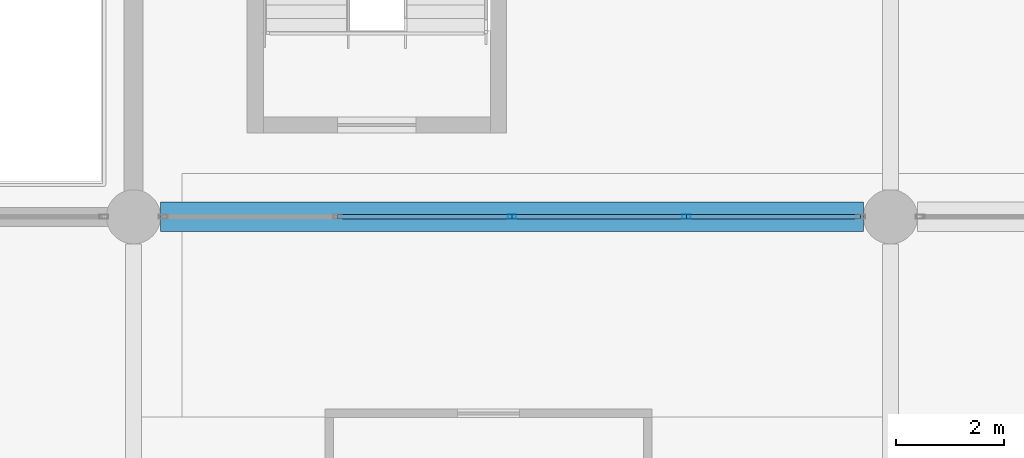
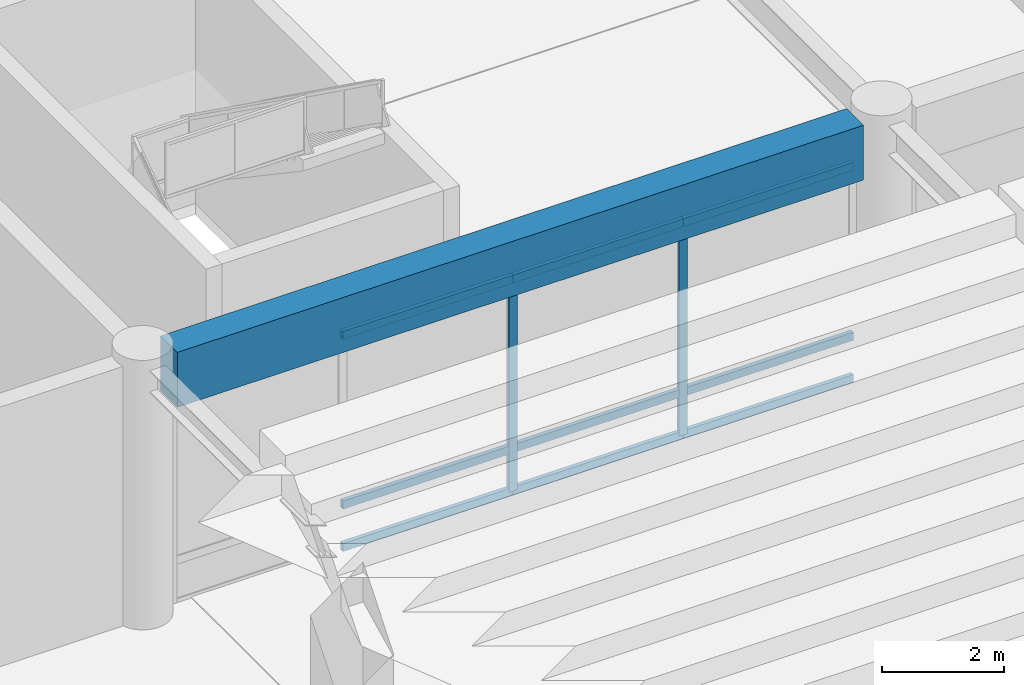
# One storey, part 65 of 117: 11 members, 1 beam, 1 element without a shape of its own.
"""IFC4 building model written with IfcOpenShell, lengths in metres."""

from ifc_helpers import new_model, si_unit, direction, frame, origin, origin_2d, place, context, subcontext, project, spatial, rectangle, hollow_rectangle, extrude, material, material_profile, profile_set, type_object, element, aggregate, save


model = new_model("IFC4")

# Units and contexts
model_context = context("Model", 3, precision=1e-05, world=origin(), true_north=direction((0.0, 1.0)))
body_context = subcontext(model_context, "Body", "Model", "MODEL_VIEW")
ifc_project = project(units=[si_unit("LENGTHUNIT", "METRE"), si_unit("AREAUNIT", "SQUARE_METRE"), si_unit("VOLUMEUNIT", "CUBIC_METRE"), si_unit("PLANEANGLEUNIT", "RADIAN"), si_unit("MASSUNIT", "GRAM", prefix="KILO")], contexts=[model_context])

# Site, building, storey
site_placement = place(None, origin())
site = spatial("IfcSite", under=ifc_project, at=site_placement, CompositionType="ELEMENT")
building_placement = place(site_placement, origin())
building = spatial("IfcBuilding", under=site, at=building_placement, Name="Linyun Crest Stadium", CompositionType="ELEMENT")
storey_placement = place(building_placement, frame((0.0, 0.0, 6.0)))
storey = spatial("IfcBuildingStorey", under=building, at=storey_placement, Name="L02", CompositionType="ELEMENT", Elevation=6.0)

# Curtain wall, members
ifc_material_1 = material(Name="Verdigris steel and low-E curtain wall assembly", Category="steel")
curtain_wall_type = type_object("IfcCurtainWallType", Name="MCW03", PredefinedType="NOTDEFINED", material=ifc_material_1)
curtain_wall_placement = place(storey_placement, origin())
curtain_wall = element("IfcCurtainWall", 1, at=curtain_wall_placement, inside=storey, type_object=curtain_wall_type, Name="CWR-134", PredefinedType="NOTDEFINED")
ifc_material_2 = material(Name="Aluminium thermally broken mullion", Category="aluminium")
ifc_material_profile_1 = material_profile(ifc_material_2, hollow_rectangle(XDim=0.080078125, YDim=0.159912109375, WallThickness=0.006103515625, at=origin_2d()), Name="RHS 160x80x6")
ifc_profile_set_1 = profile_set([ifc_material_profile_1], Name="Aluminium thermally broken mullion")
member_type_1 = type_object("IfcMemberType", Name="ML01", PredefinedType="MULLION", material=ifc_profile_set_1)
member_1_placement = place(storey_placement, frame((-7.0, 91.5, 0.0), z_axis=(0.0, 0.0, 1.0), x_axis=(0.0, 1.0, 0.0)))
member_1 = element("IfcMember", 2, at=member_1_placement, type_object=member_type_1, Name="CWR-134 mullion 3", PredefinedType="MULLION", context=body_context, shape_type="SweptSolid", body=[
    extrude(hollow_rectangle(XDim=0.080078125, YDim=0.159912109375, WallThickness=0.006103515625, at=origin_2d()), origin(), (0.0, 0.0, 1.0), 4.25),
])
member_2_placement = place(storey_placement, frame((-3.77490234375, 91.5, 0.0), z_axis=(0.0, 0.0, 1.0), x_axis=(0.0, 1.0, 0.0)))
member_2 = element("IfcMember", 3, at=member_2_placement, type_object=member_type_1, Name="CWR-134 mullion 4", PredefinedType="MULLION", context=body_context, shape_type="SweptSolid", body=[
    extrude(hollow_rectangle(XDim=0.080078125, YDim=0.159912109375, WallThickness=0.006103515625, at=origin_2d()), origin(), (0.0, 0.0, 1.0), 4.25),
])

# Beam
ifc_material_3 = material(Name="Concrete C50", Category="concrete")
ifc_material_profile_2 = material_profile(ifc_material_3, rectangle(XDim=0.550048828125, YDim=1.10009765625, at=origin_2d()), Name="RCB 1100x550")
ifc_profile_set_2 = profile_set([ifc_material_profile_2], Name="Concrete C50")
beam_type = type_object("IfcBeamType", Name="TB01", PredefinedType="USERDEFINED", material=ifc_profile_set_2)
beam_placement = place(storey_placement, frame((-13.5, 91.5, 4.64990234375), z_axis=(1.0, 0.0, 0.0), x_axis=(0.0, 1.0, 0.0)))
element("IfcBeam", 4, at=beam_placement, inside=storey, type_object=beam_type, Name="Frame beam TB01 L02 790", ObjectType="GIRDER", PredefinedType="USERDEFINED", context=body_context, shape_type="SweptSolid", body=[
    extrude(rectangle(XDim=0.550048828125, YDim=1.10009765625, at=origin_2d()), origin(), (0.0, 0.0, 1.0), 13.0),
])

# Member
ifc_material_4 = material(Name="Aluminium thermally broken transom", Category="aluminium")
ifc_material_profile_3 = material_profile(ifc_material_4, hollow_rectangle(XDim=0.080078125, YDim=0.159912109375, WallThickness=0.006103515625, at=origin_2d()), Name="RHS 160x80x6")
ifc_profile_set_3 = profile_set([ifc_material_profile_3], Name="Aluminium thermally broken transom")
member_type_2 = type_object("IfcMemberType", Name="TR01", PredefinedType="USERDEFINED", material=ifc_profile_set_3)
member_3_placement = place(storey_placement, frame((-10.22509765625, 91.5, 0.0), z_axis=(1.0, 0.0, 0.0), x_axis=(0.0, 1.0, 0.0)))
member_3 = element("IfcMember", 5, at=member_3_placement, type_object=member_type_2, Name="CWR-134 transom 2.1", ObjectType="TRANSOM", PredefinedType="USERDEFINED", context=body_context, shape_type="SweptSolid", body=[
    extrude(hollow_rectangle(XDim=0.080078125, YDim=0.159912109375, WallThickness=0.006103515625, at=origin_2d()), origin(), (0.0, 0.0, 1.0), 3.22509765625),
])

member_4_placement = place(storey_placement, frame((-10.22509765625, 91.5, 0.85009765625), z_axis=(1.0, 0.0, 0.0), x_axis=(0.0, 1.0, 0.0)))
member_4 = element("IfcMember", 6, at=member_4_placement, type_object=member_type_2, Name="CWR-134 transom 2.2", ObjectType="TRANSOM", PredefinedType="USERDEFINED", context=body_context, shape_type="SweptSolid", body=[
    extrude(hollow_rectangle(XDim=0.080078125, YDim=0.159912109375, WallThickness=0.006103515625, at=origin_2d()), origin(), (0.0, 0.0, 1.0), 3.22509765625),
])

member_5_placement = place(storey_placement, frame((-10.22509765625, 91.5, 4.25), z_axis=(1.0, 0.0, 0.0), x_axis=(0.0, 1.0, 0.0)))
member_5 = element("IfcMember", 7, at=member_5_placement, type_object=member_type_2, Name="CWR-134 transom 2.3", ObjectType="TRANSOM", PredefinedType="USERDEFINED", context=body_context, shape_type="SweptSolid", body=[
    extrude(hollow_rectangle(XDim=0.080078125, YDim=0.159912109375, WallThickness=0.006103515625, at=origin_2d()), origin(), (0.0, 0.0, 1.0), 3.22509765625),
])

member_6_placement = place(storey_placement, frame((-7.0, 91.5, 0.0), z_axis=(1.0, 0.0, 0.0), x_axis=(0.0, 1.0, 0.0)))
member_6 = element("IfcMember", 8, at=member_6_placement, type_object=member_type_2, Name="CWR-134 transom 3.1", ObjectType="TRANSOM", PredefinedType="USERDEFINED", context=body_context, shape_type="SweptSolid", body=[
    extrude(hollow_rectangle(XDim=0.080078125, YDim=0.159912109375, WallThickness=0.006103515625, at=origin_2d()), origin(), (0.0, 0.0, 1.0), 3.22509765625),
])

member_7_placement = place(storey_placement, frame((-7.0, 91.5, 0.85009765625), z_axis=(1.0, 0.0, 0.0), x_axis=(0.0, 1.0, 0.0)))
member_7 = element("IfcMember", 9, at=member_7_placement, type_object=member_type_2, Name="CWR-134 transom 3.2", ObjectType="TRANSOM", PredefinedType="USERDEFINED", context=body_context, shape_type="SweptSolid", body=[
    extrude(hollow_rectangle(XDim=0.080078125, YDim=0.159912109375, WallThickness=0.006103515625, at=origin_2d()), origin(), (0.0, 0.0, 1.0), 3.22509765625),
])

member_8_placement = place(storey_placement, frame((-7.0, 91.5, 4.25), z_axis=(1.0, 0.0, 0.0), x_axis=(0.0, 1.0, 0.0)))
member_8 = element("IfcMember", 10, at=member_8_placement, type_object=member_type_2, Name="CWR-134 transom 3.3", ObjectType="TRANSOM", PredefinedType="USERDEFINED", context=body_context, shape_type="SweptSolid", body=[
    extrude(hollow_rectangle(XDim=0.080078125, YDim=0.159912109375, WallThickness=0.006103515625, at=origin_2d()), origin(), (0.0, 0.0, 1.0), 3.22509765625),
])

member_9_placement = place(storey_placement, frame((-3.77490234375, 91.5, 0.0), z_axis=(1.0, 0.0, 0.0), x_axis=(0.0, 1.0, 0.0)))
member_9 = element("IfcMember", 11, at=member_9_placement, type_object=member_type_2, Name="CWR-134 transom 4.1", ObjectType="TRANSOM", PredefinedType="USERDEFINED", context=body_context, shape_type="SweptSolid", body=[
    extrude(hollow_rectangle(XDim=0.080078125, YDim=0.159912109375, WallThickness=0.006103515625, at=origin_2d()), origin(), (0.0, 0.0, 1.0), 3.224853515625),
])

member_10_placement = place(storey_placement, frame((-3.77490234375, 91.5, 0.85009765625), z_axis=(1.0, 0.0, 0.0), x_axis=(0.0, 1.0, 0.0)))
member_10 = element("IfcMember", 12, at=member_10_placement, type_object=member_type_2, Name="CWR-134 transom 4.2", ObjectType="TRANSOM", PredefinedType="USERDEFINED", context=body_context, shape_type="SweptSolid", body=[
    extrude(hollow_rectangle(XDim=0.080078125, YDim=0.159912109375, WallThickness=0.006103515625, at=origin_2d()), origin(), (0.0, 0.0, 1.0), 3.224853515625),
])

member_11_placement = place(storey_placement, frame((-3.77490234375, 91.5, 4.25), z_axis=(1.0, 0.0, 0.0), x_axis=(0.0, 1.0, 0.0)))
member_11 = element("IfcMember", 13, at=member_11_placement, type_object=member_type_2, Name="CWR-134 transom 4.3", ObjectType="TRANSOM", PredefinedType="USERDEFINED", context=body_context, shape_type="SweptSolid", body=[
    extrude(hollow_rectangle(XDim=0.080078125, YDim=0.159912109375, WallThickness=0.006103515625, at=origin_2d()), origin(), (0.0, 0.0, 1.0), 3.224853515625),
])

aggregate(curtain_wall, [member_1, member_2, member_3, member_4, member_5, member_6, member_7, member_8, member_9, member_10, member_11])

save(model, "model.ifc")
